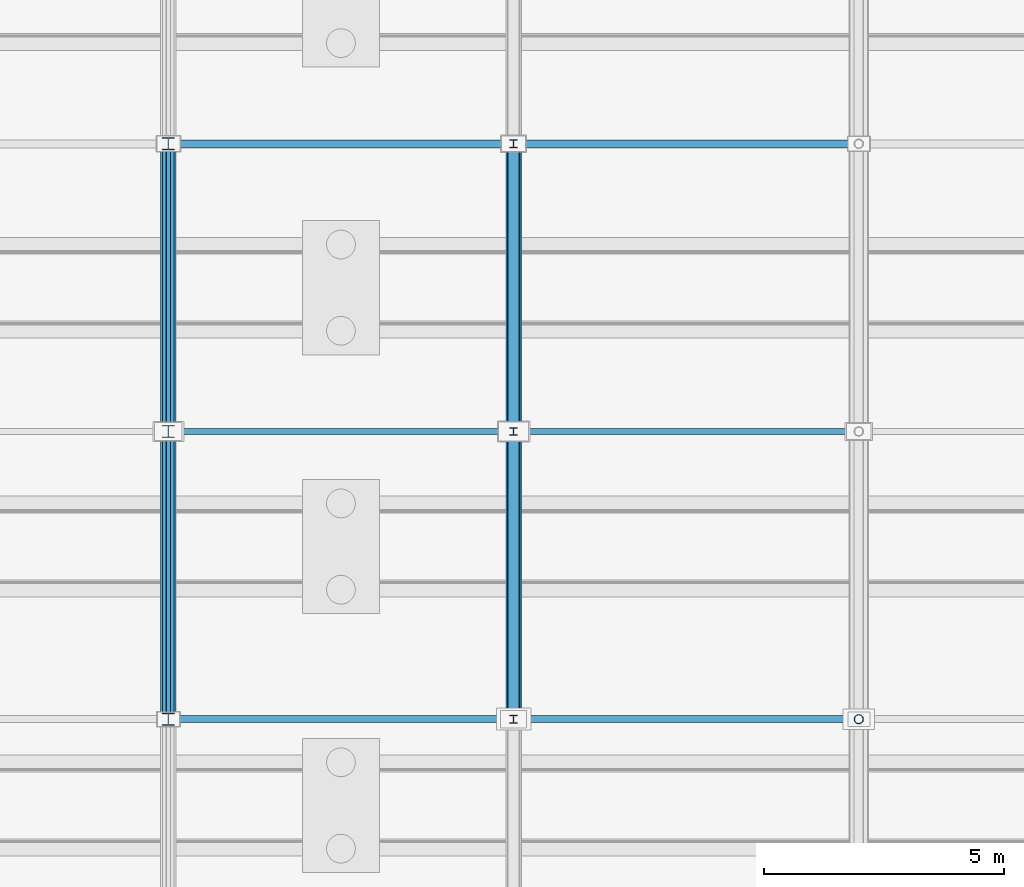
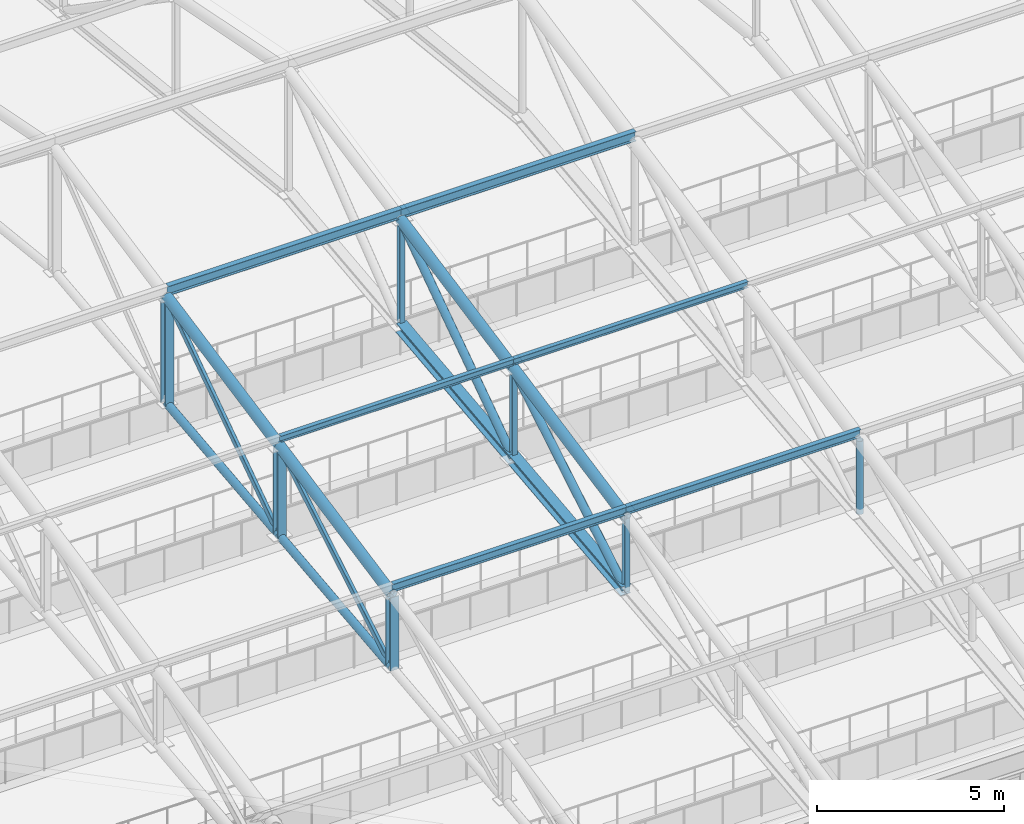
# One storey, part 179 of 293: 25 members.
"""IFC4 building model written with IfcOpenShell, lengths in metres."""

from ifc_helpers import new_model, si_unit, direction, frame, origin, origin_2d, place, context, subcontext, project, spatial, hollow_rectangle, hollow_circle, i_section, extrude, material, material_profile, profile_set, type_object, element, save


model = new_model("IFC4")

# Units and contexts
model_context = context("Model", 3, precision=1e-05, world=origin(), true_north=direction((0.0, 1.0)))
body_context = subcontext(model_context, "Body", "Model", "MODEL_VIEW")
ifc_project = project(units=[si_unit("LENGTHUNIT", "METRE"), si_unit("AREAUNIT", "SQUARE_METRE"), si_unit("VOLUMEUNIT", "CUBIC_METRE"), si_unit("PLANEANGLEUNIT", "RADIAN"), si_unit("MASSUNIT", "GRAM", prefix="KILO")], contexts=[model_context])

# Site, building, storey
site_placement = place(None, origin())
site = spatial("IfcSite", under=ifc_project, at=site_placement, CompositionType="ELEMENT")
building_placement = place(site_placement, origin())
building = spatial("IfcBuilding", under=site, at=building_placement, Name="Kemerveld Promenade Tramway Depot", CompositionType="ELEMENT")
storey_placement = place(building_placement, origin())
storey = spatial("IfcBuildingStorey", under=building, at=storey_placement, Name="L00", CompositionType="ELEMENT", Elevation=0.0)

# Members
ifc_material = material(Name="Steel S355", Category="steel")
ifc_material_profile_1 = material_profile(ifc_material, hollow_rectangle(XDim=0.10009765625, YDim=0.199951171875, WallThickness=0.008056640625, InnerFilletRadius=0.00390625, OuterFilletRadius=0.011962890625, at=origin_2d()), Name="200x100x8.0 RHS")
ifc_profile_set_1 = profile_set([ifc_material_profile_1], Name="Steel S355")
member_type_1 = type_object("IfcMemberType", Name="MB-M03", PredefinedType="BRACE", material=ifc_profile_set_1)
member_1_placement = place(storey_placement, frame((129.60009765625, 96.0, 11.1201171875), z_axis=(0.0, 0.8587636701, 0.512371895128), x_axis=(-1.0, 0.0, 0.0)))
element("IfcMember", 1, at=member_1_placement, inside=storey, type_object=member_type_1, Name="TR-19-DG-03", PredefinedType="BRACE", context=body_context, shape_type="SweptSolid", body=[
    extrude(hollow_rectangle(XDim=0.10009765625, YDim=0.199951171875, WallThickness=0.008056640625, InnerFilletRadius=0.00390625, OuterFilletRadius=0.011962890625, at=origin_2d()), origin(), (0.0, 0.0, 1.0), 6.98681640625),
])
member_2_placement = place(storey_placement, frame((129.60009765625, 102.0, 11.780029296875), z_axis=(0.0, 0.824370638462, 0.566050395673), x_axis=(-1.0, 0.0, 0.0)))
element("IfcMember", 2, at=member_2_placement, inside=storey, type_object=member_type_1, Name="TR-19-DG-04", PredefinedType="BRACE", context=body_context, shape_type="SweptSolid", body=[
    extrude(hollow_rectangle(XDim=0.10009765625, YDim=0.199951171875, WallThickness=0.008056640625, InnerFilletRadius=0.00390625, OuterFilletRadius=0.011962890625, at=origin_2d()), origin(), (0.0, 0.0, 1.0), 7.2783203125),
])
ifc_material_profile_2 = material_profile(ifc_material, i_section(OverallWidth=0.25634765625, OverallDepth=0.26025390625, WebThickness=0.01025390625, FlangeThickness=0.017333984375, FilletRadius=0.0126953125, at=origin_2d()), Name="254x254x89 UC")
ifc_profile_set_2 = profile_set([ifc_material_profile_2], Name="Steel S355")
member_type_2 = type_object("IfcMemberType", Name="MB-M04", PredefinedType="POST", material=ifc_profile_set_2)
member_3_placement = place(storey_placement, frame((129.60009765625, 96.0, 11.1201171875), z_axis=(0.0, 0.0, 1.0), x_axis=(1.0, 0.0, 0.0)))
element("IfcMember", 3, at=member_3_placement, inside=storey, type_object=member_type_2, Name="TR-19-VT-02", PredefinedType="POST", context=body_context, shape_type="SweptSolid", body=[
    extrude(i_section(OverallWidth=0.25634765625, OverallDepth=0.26025390625, WebThickness=0.01025390625, FlangeThickness=0.017333984375, FilletRadius=0.0126953125, at=origin_2d()), origin(), (0.0, 0.0, 1.0), 2.3798828125),
])
member_4_placement = place(storey_placement, frame((129.60009765625, 102.0, 11.780029296875), z_axis=(0.0, 0.0, 1.0), x_axis=(1.0, 0.0, 0.0)))
element("IfcMember", 4, at=member_4_placement, inside=storey, type_object=member_type_2, Name="TR-19-VT-03", PredefinedType="POST", context=body_context, shape_type="SweptSolid", body=[
    extrude(i_section(OverallWidth=0.25634765625, OverallDepth=0.26025390625, WebThickness=0.01025390625, FlangeThickness=0.017333984375, FilletRadius=0.0126953125, at=origin_2d()), origin(), (0.0, 0.0, 1.0), 2.919921875),
])
member_5_placement = place(storey_placement, frame((129.60009765625, 108.0, 12.43994140625), z_axis=(0.0, 0.0, 1.0), x_axis=(1.0, 0.0, 0.0)))
element("IfcMember", 5, at=member_5_placement, inside=storey, type_object=member_type_2, Name="TR-19-VT-04", PredefinedType="POST", context=body_context, shape_type="SweptSolid", body=[
    extrude(i_section(OverallWidth=0.25634765625, OverallDepth=0.26025390625, WebThickness=0.01025390625, FlangeThickness=0.017333984375, FilletRadius=0.0126953125, at=origin_2d()), origin(), (0.0, 0.0, 1.0), 3.4599609375),
])
ifc_material_profile_3 = material_profile(ifc_material, i_section(OverallWidth=0.154296875, OverallDepth=0.161865234375, WebThickness=0.008056640625, FlangeThickness=0.011474609375, FilletRadius=0.007568359375, at=origin_2d()), Name="152x152x37 UC")
ifc_profile_set_3 = profile_set([ifc_material_profile_3], Name="Steel S355")
member_type_3 = type_object("IfcMemberType", Name="MB-M05", PredefinedType="POST", material=ifc_profile_set_3)
member_6_placement = place(storey_placement, frame((136.800048828125, 96.0, 11.1201171875), z_axis=(0.0, 0.0, 1.0), x_axis=(1.0, 0.0, 0.0)))
element("IfcMember", 6, at=member_6_placement, inside=storey, type_object=member_type_3, Name="TR-20-VT-02", PredefinedType="POST", context=body_context, shape_type="SweptSolid", body=[
    extrude(i_section(OverallWidth=0.154296875, OverallDepth=0.161865234375, WebThickness=0.008056640625, FlangeThickness=0.011474609375, FilletRadius=0.007568359375, at=origin_2d()), origin(), (0.0, 0.0, 1.0), 2.3798828125),
])
member_7_placement = place(storey_placement, frame((136.800048828125, 102.0, 11.780029296875), z_axis=(0.0, 0.0, 1.0), x_axis=(1.0, 0.0, 0.0)))
element("IfcMember", 7, at=member_7_placement, inside=storey, type_object=member_type_3, Name="TR-20-VT-03", PredefinedType="POST", context=body_context, shape_type="SweptSolid", body=[
    extrude(i_section(OverallWidth=0.154296875, OverallDepth=0.161865234375, WebThickness=0.008056640625, FlangeThickness=0.011474609375, FilletRadius=0.007568359375, at=origin_2d()), origin(), (0.0, 0.0, 1.0), 2.919921875),
])
member_8_placement = place(storey_placement, frame((136.800048828125, 108.0, 12.43994140625), z_axis=(0.0, 0.0, 1.0), x_axis=(1.0, 0.0, 0.0)))
element("IfcMember", 8, at=member_8_placement, inside=storey, type_object=member_type_3, Name="TR-20-VT-04", PredefinedType="POST", context=body_context, shape_type="SweptSolid", body=[
    extrude(i_section(OverallWidth=0.154296875, OverallDepth=0.161865234375, WebThickness=0.008056640625, FlangeThickness=0.011474609375, FilletRadius=0.007568359375, at=origin_2d()), origin(), (0.0, 0.0, 1.0), 3.4599609375),
])
ifc_material_profile_4 = material_profile(ifc_material, i_section(OverallWidth=0.165771484375, OverallDepth=0.306640625, WebThickness=0.006591796875, FlangeThickness=0.01171875, FilletRadius=0.0087890625, at=origin_2d()), Name="305x165x46 UB")
ifc_profile_set_4 = profile_set([ifc_material_profile_4], Name="Steel S355")
member_type_4 = type_object("IfcMemberType", Name="MB-M06", PredefinedType="PURLIN", material=ifc_profile_set_4)
for number, where, z_axis, x_axis, name in (
    (9, (129.60009765625, 108.0, 16.14501953125), (1.0, 0.0, 0.0), (0.0, 1.0, 0.0), "PUR-V1-04-19"),
    (10, (136.800048828125, 108.0, 16.14501953125), (1.0, 0.0, 0.0), (0.0, 1.0, 0.0), "PUR-V1-04-20"),
):
    element("IfcMember", number, at=place(storey_placement, frame(where, z_axis=z_axis, x_axis=x_axis)), inside=storey, type_object=member_type_4, Name=name, PredefinedType="PURLIN", context=body_context, shape_type="SweptSolid", body=[
        extrude(i_section(OverallWidth=0.165771484375, OverallDepth=0.306640625, WebThickness=0.006591796875, FlangeThickness=0.01171875, FilletRadius=0.0087890625, at=origin_2d()), origin(), (0.0, 0.0, 1.0), 7.199951171875),
    ])
ifc_material_profile_5 = material_profile(ifc_material, i_section(OverallWidth=0.146484375, OverallDepth=0.256103515625, WebThickness=0.00634765625, FlangeThickness=0.010986328125, FilletRadius=0.007568359375, at=origin_2d()), Name="254x146x37 UB")
ifc_profile_set_5 = profile_set([ifc_material_profile_5], Name="Steel S355")
member_type_5 = type_object("IfcMemberType", Name="MB-PR3", PredefinedType="PURLIN", material=ifc_profile_set_5)
for number, where, z_axis, x_axis, name in (
    (11, (129.60009765625, 96.0, 13.7451171875), (1.0, 0.0, 0.0), (0.0, 1.0, 0.0), "PUR-V1-02-19"),
    (12, (136.800048828125, 96.0, 13.7451171875), (1.0, 0.0, 0.0), (0.0, 1.0, 0.0), "PUR-V1-02-20"),
):
    element("IfcMember", number, at=place(storey_placement, frame(where, z_axis=z_axis, x_axis=x_axis)), inside=storey, type_object=member_type_5, Name=name, PredefinedType="PURLIN", context=body_context, shape_type="SweptSolid", body=[
        extrude(i_section(OverallWidth=0.146484375, OverallDepth=0.256103515625, WebThickness=0.00634765625, FlangeThickness=0.010986328125, FilletRadius=0.007568359375, at=origin_2d()), origin(), (0.0, 0.0, 1.0), 7.199951171875),
    ])
ifc_material_profile_6 = material_profile(ifc_material, i_section(OverallWidth=0.13330078125, OverallDepth=0.203125, WebThickness=0.005615234375, FlangeThickness=0.0078125, FilletRadius=0.007568359375, at=origin_2d()), Name="203x133x25 UB")
ifc_profile_set_6 = profile_set([ifc_material_profile_6], Name="Steel S355")
member_type_6 = type_object("IfcMemberType", Name="MB-PR4", PredefinedType="PURLIN", material=ifc_profile_set_6)
for number, where, z_axis, x_axis, name in (
    (13, (129.60009765625, 102.0, 14.945068359375), (1.0, 0.0, 0.0), (0.0, 1.0, 0.0), "PUR-V1-03-19"),
    (14, (136.800048828125, 102.0, 14.945068359375), (1.0, 0.0, 0.0), (0.0, 1.0, 0.0), "PUR-V1-03-20"),
):
    element("IfcMember", number, at=place(storey_placement, frame(where, z_axis=z_axis, x_axis=x_axis)), inside=storey, type_object=member_type_6, Name=name, PredefinedType="PURLIN", context=body_context, shape_type="SweptSolid", body=[
        extrude(i_section(OverallWidth=0.13330078125, OverallDepth=0.203125, WebThickness=0.005615234375, FlangeThickness=0.0078125, FilletRadius=0.007568359375, at=origin_2d()), origin(), (0.0, 0.0, 1.0), 7.199951171875),
    ])
ifc_material_profile_7 = material_profile(ifc_material, hollow_circle(Radius=0.122314453125, WallThickness=0.010009765625, at=origin_2d()), Name="244.5x10.0 CHS")
ifc_profile_set_7 = profile_set([ifc_material_profile_7], Name="Steel S355")
member_type_7 = type_object("IfcMemberType", Name="MB-TB1", PredefinedType="BRACE", material=ifc_profile_set_7)
member_9_placement = place(storey_placement, frame((136.800048828125, 96.0, 11.1201171875), z_axis=(0.0, 0.8587636701, 0.512371895128), x_axis=(-1.0, 0.0, 0.0)))
element("IfcMember", 15, at=member_9_placement, inside=storey, type_object=member_type_7, Name="TR-20-DG-03", PredefinedType="BRACE", context=body_context, shape_type="SweptSolid", body=[
    extrude(hollow_circle(Radius=0.122314453125, WallThickness=0.010009765625, at=origin_2d()), origin(), (0.0, 0.0, 1.0), 6.98681640625),
])
member_10_placement = place(storey_placement, frame((136.800048828125, 102.0, 11.780029296875), z_axis=(0.0, 0.824370638462, 0.566050395673), x_axis=(-1.0, 0.0, 0.0)))
element("IfcMember", 16, at=member_10_placement, inside=storey, type_object=member_type_7, Name="TR-20-DG-04", PredefinedType="BRACE", context=body_context, shape_type="SweptSolid", body=[
    extrude(hollow_circle(Radius=0.122314453125, WallThickness=0.010009765625, at=origin_2d()), origin(), (0.0, 0.0, 1.0), 7.2783203125),
])
ifc_material_profile_8 = material_profile(ifc_material, hollow_circle(Radius=0.161865234375, WallThickness=0.012451171875, at=origin_2d()), Name="323.9x12.5 CHS")
ifc_profile_set_8 = profile_set([ifc_material_profile_8], Name="Steel S355")
member_type_8 = type_object("IfcMemberType", Name="MB-TC2", PredefinedType="CHORD", material=ifc_profile_set_8)
for number, where, z_axis, x_axis, name in (
    (17, (129.60009765625, 96.0, 13.5), (0.0, 0.980582210276, 0.196108462057), (-1.0, 0.0, 0.0), "TR-19-TC-03"),
    (18, (129.60009765625, 102.0, 14.699951171875), (0.0, 0.980582210276, 0.196108462057), (-1.0, 0.0, 0.0), "TR-19-TC-04"),
    (19, (136.800048828125, 96.0, 13.5), (0.0, 0.980582210276, 0.196108462057), (-1.0, 0.0, 0.0), "TR-20-TC-03"),
    (20, (136.800048828125, 102.0, 14.699951171875), (0.0, 0.980582210276, 0.196108462057), (-1.0, 0.0, 0.0), "TR-20-TC-04"),
):
    element("IfcMember", number, at=place(storey_placement, frame(where, z_axis=z_axis, x_axis=x_axis)), inside=storey, type_object=member_type_8, Name=name, PredefinedType="CHORD", context=body_context, shape_type="SweptSolid", body=[
        extrude(hollow_circle(Radius=0.161865234375, WallThickness=0.012451171875, at=origin_2d()), origin(), (0.0, 0.0, 1.0), 6.118896484375),
    ])
ifc_material_profile_9 = material_profile(ifc_material, hollow_circle(Radius=0.122314453125, WallThickness=0.010009765625, at=origin_2d()), Name="244.5x10.0 CHS")
ifc_profile_set_9 = profile_set([ifc_material_profile_9], Name="Steel S355")
member_type_9 = type_object("IfcMemberType", Name="MB-TC3", PredefinedType="CHORD", material=ifc_profile_set_9)
for number, where, z_axis, x_axis, name in (
    (21, (129.60009765625, 96.0, 11.1201171875), (0.0, 0.994005938353, 0.109326092585), (-1.0, 0.0, 0.0), "TR-19-BC-03"),
    (22, (129.60009765625, 102.0, 11.780029296875), (0.0, 0.994005938353, 0.109326092585), (-1.0, 0.0, 0.0), "TR-19-BC-04"),
):
    element("IfcMember", number, at=place(storey_placement, frame(where, z_axis=z_axis, x_axis=x_axis)), inside=storey, type_object=member_type_9, Name=name, PredefinedType="CHORD", context=body_context, shape_type="SweptSolid", body=[
        extrude(hollow_circle(Radius=0.122314453125, WallThickness=0.010009765625, at=origin_2d()), origin(), (0.0, 0.0, 1.0), 6.0361328125),
    ])
ifc_material_profile_10 = material_profile(ifc_material, i_section(OverallWidth=0.307373046875, OverallDepth=0.314453125, WebThickness=0.011962890625, FlangeThickness=0.018798828125, FilletRadius=0.01513671875, at=origin_2d()), Name="305x305x118 UC")
ifc_profile_set_10 = profile_set([ifc_material_profile_10], Name="Steel S355")
member_type_10 = type_object("IfcMemberType", Name="MB-TC4", PredefinedType="CHORD", material=ifc_profile_set_10)
for number, where, z_axis, x_axis, name in (
    (23, (136.800048828125, 96.0, 11.1201171875), (0.0, 0.994005938353, 0.109326092585), (-1.0, 0.0, 0.0), "TR-20-BC-03"),
    (24, (136.800048828125, 102.0, 11.780029296875), (0.0, 0.994005938353, 0.109326092585), (-1.0, 0.0, 0.0), "TR-20-BC-04"),
):
    element("IfcMember", number, at=place(storey_placement, frame(where, z_axis=z_axis, x_axis=x_axis)), inside=storey, type_object=member_type_10, Name=name, PredefinedType="CHORD", context=body_context, shape_type="SweptSolid", body=[
        extrude(i_section(OverallWidth=0.307373046875, OverallDepth=0.314453125, WebThickness=0.011962890625, FlangeThickness=0.018798828125, FilletRadius=0.01513671875, at=origin_2d()), origin(), (0.0, 0.0, 1.0), 6.0361328125),
    ])
ifc_material_profile_11 = material_profile(ifc_material, hollow_circle(Radius=0.096923828125, WallThickness=0.008056640625, at=origin_2d()), Name="193.7x8.0 CHS")
ifc_profile_set_11 = profile_set([ifc_material_profile_11], Name="Steel S355")
member_type_11 = type_object("IfcMemberType", Name="MB-TP1", PredefinedType="POST", material=ifc_profile_set_11)
member_11_placement = place(storey_placement, frame((144.0, 96.0, 11.1201171875), z_axis=(0.0, 0.0, 1.0), x_axis=(1.0, 0.0, 0.0)))
element("IfcMember", 25, at=member_11_placement, inside=storey, type_object=member_type_11, Name="TR-21-VT-02", PredefinedType="POST", context=body_context, shape_type="SweptSolid", body=[
    extrude(hollow_circle(Radius=0.096923828125, WallThickness=0.008056640625, at=origin_2d()), origin(), (0.0, 0.0, 1.0), 2.3798828125),
])

save(model, "model.ifc")
